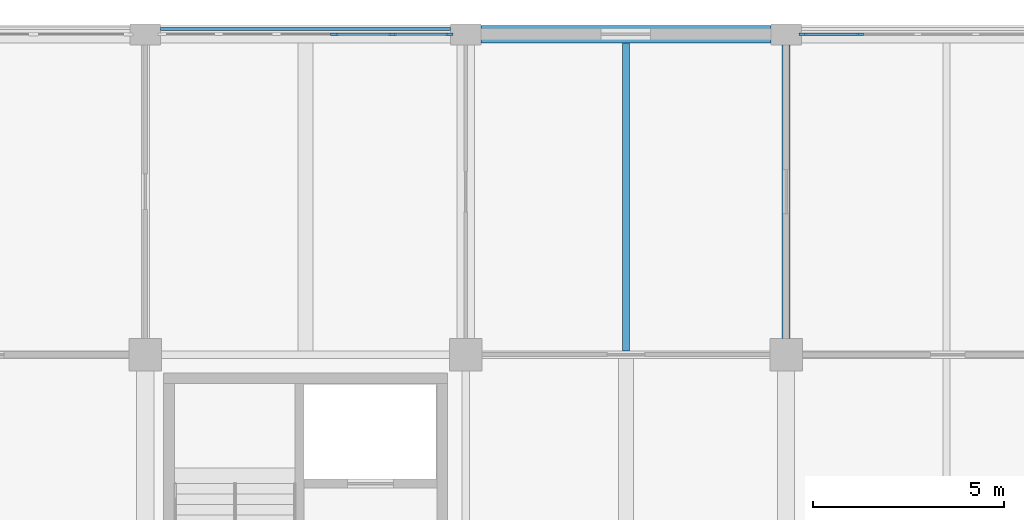
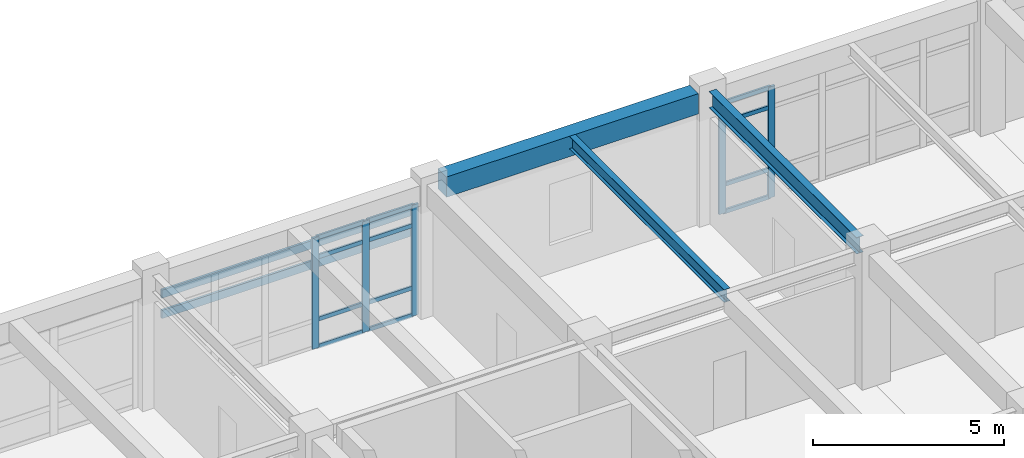
# One storey, part 30 of 78: 19 members, 3 beams, 2 elements without a shape of their own.
"""IFC4 building model written with IfcOpenShell, lengths in metres."""

from ifc_helpers import new_model, si_unit, direction, frame, origin, origin_2d, place, context, subcontext, project, spatial, rectangle, i_section, extrude, material, layer, layer_set, material_profile, profile_set, type_object, element, aggregate, save


model = new_model("IFC4")

# Units and contexts
model_context = context("Model", 3, precision=1e-05, world=origin(), true_north=direction((0.0, 1.0)))
body_context = subcontext(model_context, "Body", "Model", "MODEL_VIEW")
ifc_project = project(units=[si_unit("LENGTHUNIT", "METRE"), si_unit("AREAUNIT", "SQUARE_METRE"), si_unit("VOLUMEUNIT", "CUBIC_METRE"), si_unit("PLANEANGLEUNIT", "RADIAN"), si_unit("MASSUNIT", "GRAM", prefix="KILO")], contexts=[model_context])

# Site, building, storey
site_placement = place(None, origin())
site = spatial("IfcSite", under=ifc_project, at=site_placement, CompositionType="ELEMENT")
building_placement = place(site_placement, origin())
building = spatial("IfcBuilding", under=site, at=building_placement, Name="Porcellanite Civic Hall", CompositionType="ELEMENT")
storey_placement = place(building_placement, frame((0.0, 0.0, 10.260009765625)))
storey = spatial("IfcBuildingStorey", under=building, at=storey_placement, Name="L02", CompositionType="ELEMENT", Elevation=10.260009765625)

# Beam
ifc_material_1 = material(Name="Concrete N50 (50 MPa)", Category="concrete")
ifc_material_profile_1 = material_profile(ifc_material_1, rectangle(XDim=0.449951171875, YDim=0.64990234375, at=origin_2d()), Name="RC-450x650")
ifc_profile_set_1 = profile_set([ifc_material_profile_1], Name="Concrete N50 (50 MPa)")
beam_type_1 = type_object("IfcBeamType", Name="BM-RC650", PredefinedType="SPANDREL", material=ifc_profile_set_1)
beam_1_placement = place(storey_placement, frame((117.99951171875, 117.60009765625, 3.9150390625), z_axis=(1.0, 0.0, 0.0), x_axis=(0.0, 1.0, 0.0)))
element("IfcBeam", 1, at=beam_1_placement, inside=storey, type_object=beam_type_1, Name="Beam X L02 15-15", PredefinedType="SPANDREL", context=body_context, shape_type="SweptSolid", body=[
    extrude(rectangle(XDim=0.449951171875, YDim=0.64990234375, at=origin_2d()), origin(), (0.0, 0.0, 1.0), 7.60107421875),
])

# Curtain wall, members
ifc_material_2 = material(Name="Anodised aluminium and solar laminated glass", Category="aluminium")
ifc_layer = layer(ifc_material_2, 0.179931640625)
ifc_layer_set = layer_set([ifc_layer], Name="Anodised aluminium and solar laminated glass")
curtain_wall_type = type_object("IfcCurtainWallType", Name="CW-SYS01", PredefinedType="NOTDEFINED", material=ifc_layer_set)
curtain_wall_1_placement = place(storey_placement, origin())
curtain_wall_1 = element("IfcCurtainWall", 2, at=curtain_wall_1_placement, inside=storey, type_object=curtain_wall_type, Name="Curtain wall CW-161", PredefinedType="NOTDEFINED")
ifc_material_3 = material(Name="Anodised aluminium 6063-T6", Category="aluminium")
ifc_material_profile_2 = material_profile(ifc_material_3, rectangle(XDim=0.070068359375, YDim=0.199951171875, at=origin_2d()), Name="AL-70x200")
ifc_profile_set_2 = profile_set([ifc_material_profile_2], Name="Anodised aluminium 6063-T6")
member_type_1 = type_object("IfcMemberType", Name="CWM-05", PredefinedType="MULLION", material=ifc_profile_set_2)
member_1_placement = place(storey_placement, frame((114.159912109375, 117.60009765625, 0.0), z_axis=(0.0, 0.0, 1.0), x_axis=(0.0, 1.0, 0.0)))
member_1 = element("IfcMember", 3, at=member_1_placement, type_object=member_type_1, Name="CW-161 mullion 4", PredefinedType="MULLION", context=body_context, shape_type="SweptSolid", body=[
    extrude(rectangle(XDim=0.070068359375, YDim=0.199951171875, at=origin_2d()), origin(), (0.0, 0.0, 1.0), 3.5400390625),
])
member_2_placement = place(storey_placement, frame((115.679443359375, 117.60009765625, 0.0), z_axis=(0.0, 0.0, 1.0), x_axis=(0.0, 1.0, 0.0)))
member_2 = element("IfcMember", 4, at=member_2_placement, type_object=member_type_1, Name="CW-161 mullion 5", PredefinedType="MULLION", context=body_context, shape_type="SweptSolid", body=[
    extrude(rectangle(XDim=0.070068359375, YDim=0.199951171875, at=origin_2d()), origin(), (0.0, 0.0, 1.0), 3.5400390625),
])
member_3_placement = place(storey_placement, frame((117.1640625, 117.60009765625, 0.0), z_axis=(0.0, 0.0, 1.0), x_axis=(0.0, 1.0, 0.0)))
member_3 = element("IfcMember", 5, at=member_3_placement, type_object=member_type_1, Name="CW-161 mullion 6", PredefinedType="MULLION", context=body_context, shape_type="SweptSolid", body=[
    extrude(rectangle(XDim=0.070068359375, YDim=0.199951171875, at=origin_2d()), origin(), (0.0, 0.0, 1.0), 3.5400390625),
])

curtain_wall_2_placement = place(storey_placement, origin())
curtain_wall_2 = element("IfcCurtainWall", 6, at=curtain_wall_2_placement, inside=storey, type_object=curtain_wall_type, Name="Curtain wall CW-173", PredefinedType="NOTDEFINED")
member_4_placement = place(storey_placement, frame((126.43603515625, 117.60009765625, 0.0), z_axis=(0.0, 0.0, 1.0), x_axis=(0.0, 1.0, 0.0)))
member_4 = element("IfcMember", 7, at=member_4_placement, type_object=member_type_1, Name="CW-173 mullion 1", PredefinedType="MULLION", context=body_context, shape_type="SweptSolid", body=[
    extrude(rectangle(XDim=0.070068359375, YDim=0.199951171875, at=origin_2d()), origin(), (0.0, 0.0, 1.0), 3.5400390625),
])
member_5_placement = place(storey_placement, frame((127.925537109375, 117.60009765625, 0.0), z_axis=(0.0, 0.0, 1.0), x_axis=(0.0, 1.0, 0.0)))
member_5 = element("IfcMember", 8, at=member_5_placement, type_object=member_type_1, Name="CW-173 mullion 2", PredefinedType="MULLION", context=body_context, shape_type="SweptSolid", body=[
    extrude(rectangle(XDim=0.070068359375, YDim=0.199951171875, at=origin_2d()), origin(), (0.0, 0.0, 1.0), 3.5400390625),
])

# Member
ifc_material_4 = material(Name="Anodised aluminium 6063-T6", Category="aluminium")
ifc_material_profile_3 = material_profile(ifc_material_4, rectangle(XDim=0.06005859375, YDim=0.1298828125, at=origin_2d()), Name="AL-60x130")
ifc_profile_set_3 = profile_set([ifc_material_profile_3], Name="Anodised aluminium 6063-T6")
member_type_2 = type_object("IfcMemberType", Name="CWT-03", PredefinedType="USERDEFINED", material=ifc_profile_set_3)
member_6_placement = place(storey_placement, frame((114.19482421875, 117.60009765625, 0.030029296875), z_axis=(1.0, 0.0, 0.0), x_axis=(0.0, 1.0, 0.0)))
member_6 = element("IfcMember", 9, at=member_6_placement, type_object=member_type_2, Name="CW-161 transom 4.1", ObjectType="TRANSOM", PredefinedType="USERDEFINED", context=body_context, shape_type="SweptSolid", body=[
    extrude(rectangle(XDim=0.06005859375, YDim=0.1298828125, at=origin_2d()), origin(), (0.0, 0.0, 1.0), 1.449462890625),
])

member_7_placement = place(storey_placement, frame((114.19482421875, 117.60009765625, 0.89990234375), z_axis=(1.0, 0.0, 0.0), x_axis=(0.0, 1.0, 0.0)))
member_7 = element("IfcMember", 10, at=member_7_placement, type_object=member_type_2, Name="CW-161 transom 4.2", ObjectType="TRANSOM", PredefinedType="USERDEFINED", context=body_context, shape_type="SweptSolid", body=[
    extrude(rectangle(XDim=0.06005859375, YDim=0.1298828125, at=origin_2d()), origin(), (0.0, 0.0, 1.0), 1.449462890625),
])

member_8_placement = place(storey_placement, frame((114.19482421875, 117.60009765625, 2.889892578125), z_axis=(1.0, 0.0, 0.0), x_axis=(0.0, 1.0, 0.0)))
member_8 = element("IfcMember", 11, at=member_8_placement, type_object=member_type_2, Name="CW-161 transom 4.3", ObjectType="TRANSOM", PredefinedType="USERDEFINED", context=body_context, shape_type="SweptSolid", body=[
    extrude(rectangle(XDim=0.06005859375, YDim=0.1298828125, at=origin_2d()), origin(), (0.0, 0.0, 1.0), 1.449462890625),
])

member_9_placement = place(storey_placement, frame((114.19482421875, 117.60009765625, 3.510009765625), z_axis=(1.0, 0.0, 0.0), x_axis=(0.0, 1.0, 0.0)))
member_9 = element("IfcMember", 12, at=member_9_placement, type_object=member_type_2, Name="CW-161 transom 4.4", ObjectType="TRANSOM", PredefinedType="USERDEFINED", context=body_context, shape_type="SweptSolid", body=[
    extrude(rectangle(XDim=0.06005859375, YDim=0.1298828125, at=origin_2d()), origin(), (0.0, 0.0, 1.0), 1.449462890625),
])

member_10_placement = place(storey_placement, frame((115.71435546875, 117.60009765625, 0.030029296875), z_axis=(1.0, 0.0, 0.0), x_axis=(0.0, 1.0, 0.0)))
member_10 = element("IfcMember", 13, at=member_10_placement, type_object=member_type_2, Name="CW-161 transom 5.1", ObjectType="TRANSOM", PredefinedType="USERDEFINED", context=body_context, shape_type="SweptSolid", body=[
    extrude(rectangle(XDim=0.06005859375, YDim=0.1298828125, at=origin_2d()), origin(), (0.0, 0.0, 1.0), 1.41455078125),
])

member_11_placement = place(storey_placement, frame((115.71435546875, 117.60009765625, 0.89990234375), z_axis=(1.0, 0.0, 0.0), x_axis=(0.0, 1.0, 0.0)))
member_11 = element("IfcMember", 14, at=member_11_placement, type_object=member_type_2, Name="CW-161 transom 5.2", ObjectType="TRANSOM", PredefinedType="USERDEFINED", context=body_context, shape_type="SweptSolid", body=[
    extrude(rectangle(XDim=0.06005859375, YDim=0.1298828125, at=origin_2d()), origin(), (0.0, 0.0, 1.0), 1.41455078125),
])

member_12_placement = place(storey_placement, frame((115.71435546875, 117.60009765625, 2.889892578125), z_axis=(1.0, 0.0, 0.0), x_axis=(0.0, 1.0, 0.0)))
member_12 = element("IfcMember", 15, at=member_12_placement, type_object=member_type_2, Name="CW-161 transom 5.3", ObjectType="TRANSOM", PredefinedType="USERDEFINED", context=body_context, shape_type="SweptSolid", body=[
    extrude(rectangle(XDim=0.06005859375, YDim=0.1298828125, at=origin_2d()), origin(), (0.0, 0.0, 1.0), 1.41455078125),
])

member_13_placement = place(storey_placement, frame((115.71435546875, 117.60009765625, 3.510009765625), z_axis=(1.0, 0.0, 0.0), x_axis=(0.0, 1.0, 0.0)))
member_13 = element("IfcMember", 16, at=member_13_placement, type_object=member_type_2, Name="CW-161 transom 5.4", ObjectType="TRANSOM", PredefinedType="USERDEFINED", context=body_context, shape_type="SweptSolid", body=[
    extrude(rectangle(XDim=0.06005859375, YDim=0.1298828125, at=origin_2d()), origin(), (0.0, 0.0, 1.0), 1.41455078125),
])

aggregate(curtain_wall_1, [member_1, member_2, member_3, member_6, member_7, member_8, member_9, member_10, member_11, member_12, member_13])

member_14_placement = place(storey_placement, frame((126.470947265625, 117.60009765625, 0.030029296875), z_axis=(1.0, 0.0, 0.0), x_axis=(0.0, 1.0, 0.0)))
member_14 = element("IfcMember", 17, at=member_14_placement, type_object=member_type_2, Name="CW-173 transom 1.1", ObjectType="TRANSOM", PredefinedType="USERDEFINED", context=body_context, shape_type="SweptSolid", body=[
    extrude(rectangle(XDim=0.06005859375, YDim=0.1298828125, at=origin_2d()), origin(), (0.0, 0.0, 1.0), 1.419677734375),
])

member_15_placement = place(storey_placement, frame((126.470947265625, 117.60009765625, 0.89990234375), z_axis=(1.0, 0.0, 0.0), x_axis=(0.0, 1.0, 0.0)))
member_15 = element("IfcMember", 18, at=member_15_placement, type_object=member_type_2, Name="CW-173 transom 1.2", ObjectType="TRANSOM", PredefinedType="USERDEFINED", context=body_context, shape_type="SweptSolid", body=[
    extrude(rectangle(XDim=0.06005859375, YDim=0.1298828125, at=origin_2d()), origin(), (0.0, 0.0, 1.0), 1.419677734375),
])

member_16_placement = place(storey_placement, frame((126.470947265625, 117.60009765625, 2.889892578125), z_axis=(1.0, 0.0, 0.0), x_axis=(0.0, 1.0, 0.0)))
member_16 = element("IfcMember", 19, at=member_16_placement, type_object=member_type_2, Name="CW-173 transom 1.3", ObjectType="TRANSOM", PredefinedType="USERDEFINED", context=body_context, shape_type="SweptSolid", body=[
    extrude(rectangle(XDim=0.06005859375, YDim=0.1298828125, at=origin_2d()), origin(), (0.0, 0.0, 1.0), 1.419677734375),
])

member_17_placement = place(storey_placement, frame((126.470947265625, 117.60009765625, 3.510009765625), z_axis=(1.0, 0.0, 0.0), x_axis=(0.0, 1.0, 0.0)))
member_17 = element("IfcMember", 20, at=member_17_placement, type_object=member_type_2, Name="CW-173 transom 1.4", ObjectType="TRANSOM", PredefinedType="USERDEFINED", context=body_context, shape_type="SweptSolid", body=[
    extrude(rectangle(XDim=0.06005859375, YDim=0.1298828125, at=origin_2d()), origin(), (0.0, 0.0, 1.0), 1.419677734375),
])

aggregate(curtain_wall_2, [member_4, member_5, member_14, member_15, member_16, member_17])

# Beam
ifc_material_5 = material(Name="Steel Grade 350", Category="steel")
ifc_material_profile_4 = material_profile(ifc_material_5, i_section(OverallWidth=0.177978515625, OverallDepth=0.406005859375, WebThickness=0.0078125, FlangeThickness=0.0126953125, FilletRadius=0.011474609375, at=origin_2d()), Name="410UB59.7")
ifc_profile_set_4 = profile_set([ifc_material_profile_4], Name="Steel Grade 350")
beam_type_2 = type_object("IfcBeamType", Name="JST-410UB60", PredefinedType="JOIST", material=ifc_profile_set_4)
beam_2_placement = place(storey_placement, frame((121.800048828125, 109.29443359375, 4.037109375), z_axis=(0.0, 1.0, 0.0), x_axis=(-1.0, 0.0, 0.0)))
element("IfcBeam", 21, at=beam_2_placement, inside=storey, type_object=beam_type_2, Name="Secondary joist L02 15-14", PredefinedType="JOIST", context=body_context, shape_type="SweptSolid", body=[
    extrude(i_section(OverallWidth=0.177978515625, OverallDepth=0.406005859375, WebThickness=0.0078125, FlangeThickness=0.0126953125, FilletRadius=0.011474609375, at=origin_2d()), origin(), (0.0, 0.0, 1.0), 8.0810546875),
])

# Members
ifc_material_6 = material(Name="Fluoropolymer bauxite-red aluminium 6063-T6", Category="aluminium")
ifc_material_profile_5 = material_profile(ifc_material_6, rectangle(XDim=0.070068359375, YDim=0.260009765625, at=origin_2d()), Name="AL-70x260")
ifc_profile_set_5 = profile_set([ifc_material_profile_5], Name="Fluoropolymer bauxite-red aluminium 6063-T6")
member_type_3 = type_object("IfcMemberType", Name="LV-BLD06", PredefinedType="USERDEFINED", material=ifc_profile_set_5)
for number, where, z_axis, x_axis, name in (
    (22, (109.599609375, 117.737060546875, 3.239990234375), (1.0, 0.0, 0.0), (0.0, 1.0, 0.0), "Cyclone sunshade louvre L02 N 13-13 1"),
    (23, (109.599609375, 117.737060546875, 2.590087890625), (1.0, 0.0, 0.0), (0.0, 1.0, 0.0), "Cyclone sunshade louvre L02 N 13-13 2"),
):
    element("IfcMember", number, at=place(storey_placement, frame(where, z_axis=z_axis, x_axis=x_axis)), inside=storey, type_object=member_type_3, Name=name, ObjectType="LOUVRE BLADE", PredefinedType="USERDEFINED", context=body_context, shape_type="SweptSolid", body=[
        extrude(rectangle(XDim=0.070068359375, YDim=0.260009765625, at=origin_2d()), origin(), (0.0, 0.0, 1.0), 7.600830078125),
    ])

# Beam
ifc_material_7 = material(Name="Steel Grade 350", Category="steel")
ifc_material_profile_6 = material_profile(ifc_material_7, i_section(OverallWidth=0.208984375, OverallDepth=0.528076171875, WebThickness=0.009521484375, FlangeThickness=0.01318359375, FilletRadius=0.013916015625, at=origin_2d()), Name="530UB82.0")
ifc_profile_set_6 = profile_set([ifc_material_profile_6], Name="Steel Grade 350")
beam_type_3 = type_object("IfcBeamType", Name="RAF-530UB82", PredefinedType="BEAM", material=ifc_profile_set_6)
beam_3_placement = place(storey_placement, frame((126.0, 109.62451171875, 3.97607421875), z_axis=(0.0, 1.0, 0.0), x_axis=(-1.0, 0.0, 0.0)))
element("IfcBeam", 24, at=beam_3_placement, inside=storey, type_object=beam_type_3, Name="Beam Y L02 16-14", PredefinedType="BEAM", context=body_context, shape_type="SweptSolid", body=[
    extrude(i_section(OverallWidth=0.208984375, OverallDepth=0.528076171875, WebThickness=0.009521484375, FlangeThickness=0.01318359375, FilletRadius=0.013916015625, at=origin_2d()), origin(), (0.0, 0.0, 1.0), 7.700927734375),
])

save(model, "model.ifc")
